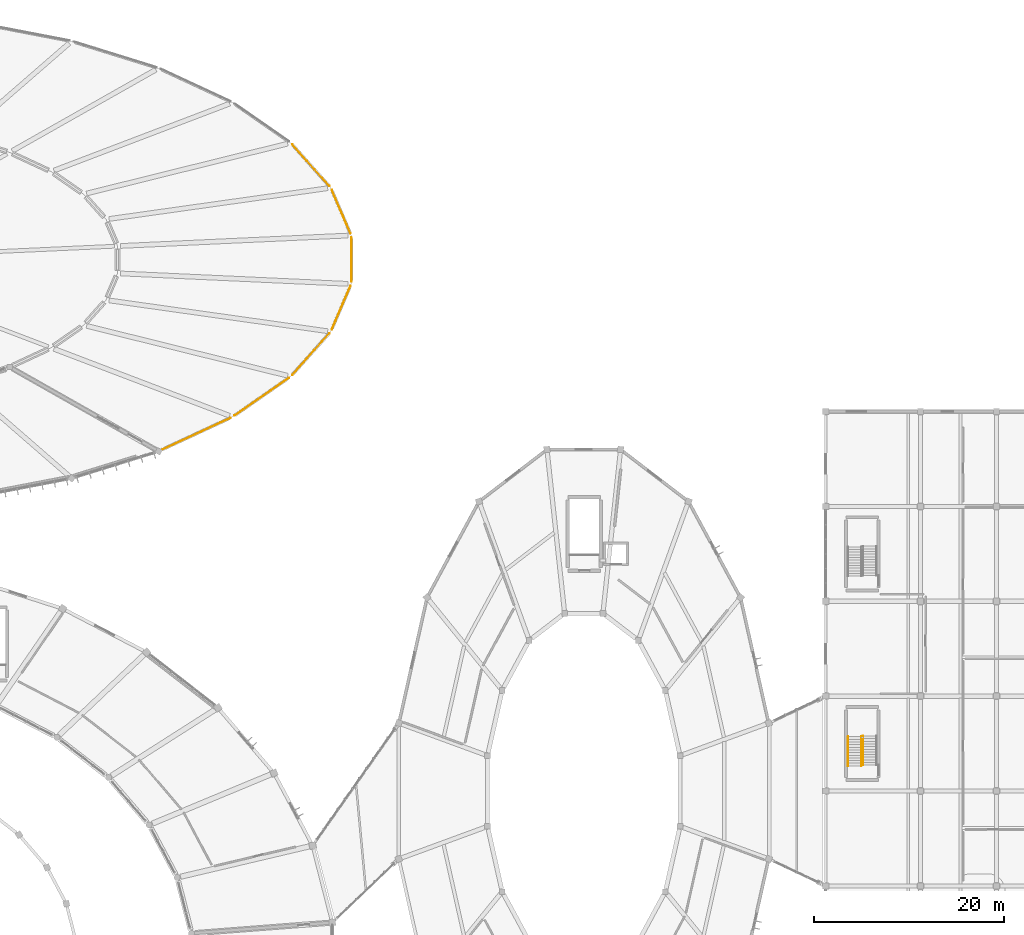
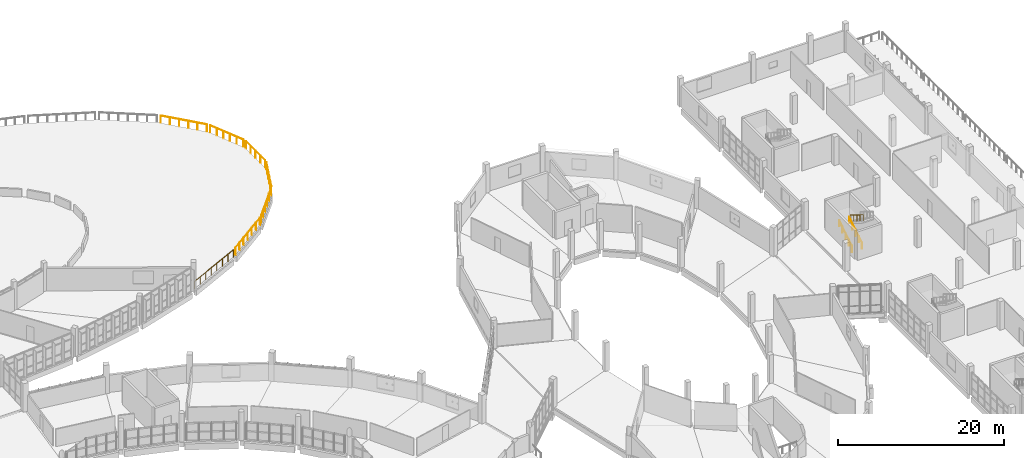
# One storey, part 139 of 142: 10 railings.
"""IFC4 building model written with IfcOpenShell, lengths in metres."""

from ifc_helpers import new_model, si_unit, direction, frame, origin, origin_2d, place, context, subcontext, project, spatial, circle, extrude, material, layer, layer_set, type_object, element, save


model = new_model("IFC4")

# Units and contexts
model_context = context("Model", 3, precision=1e-05, world=origin(), true_north=direction((0.0, 1.0)))
body_context = subcontext(model_context, "Body", "Model", "MODEL_VIEW")
ifc_project = project(units=[si_unit("LENGTHUNIT", "METRE"), si_unit("AREAUNIT", "SQUARE_METRE"), si_unit("VOLUMEUNIT", "CUBIC_METRE"), si_unit("PLANEANGLEUNIT", "RADIAN"), si_unit("MASSUNIT", "GRAM", prefix="KILO")], contexts=[model_context])

# Site, building, storey
site_placement = place(None, origin())
site = spatial("IfcSite", under=ifc_project, at=site_placement, CompositionType="ELEMENT")
building_placement = place(site_placement, origin())
building = spatial("IfcBuilding", under=site, at=building_placement, Name="Corvandel Quay Wholesale Market", CompositionType="ELEMENT")
storey_placement = place(building_placement, frame((0.0, 0.0, 10.800048828125)))
storey = spatial("IfcBuildingStorey", under=building, at=storey_placement, Name="L02", CompositionType="ELEMENT", Elevation=10.800048828125)

# Railings
ifc_material_1 = material(Name="Hot-dip galvanised painted steel", Category="steel")
ifc_layer_1 = layer(ifc_material_1, 0.06005859375)
ifc_layer_set_1 = layer_set([ifc_layer_1], Name="Hot-dip galvanised painted steel")
railing_type_1 = type_object("IfcRailingType", Name="Galvanised Steel Guard Balustrade GR01 1100mm", PredefinedType="BALUSTRADE", material=ifc_layer_set_1)
railing_1_placement = place(storey_placement, frame((169.905029296875, 118.781982421875, 0.0)))
element("IfcRailing", 1, at=railing_1_placement, inside=storey, type_object=railing_type_1, Name="Oval Roof Garden Guard GR-0009", PredefinedType="BALUSTRADE", context=body_context, shape_type="SweptSolid", body=[
    extrude(circle(Radius=0.02392578125, at=origin_2d()), frame((0.0, 0.0, 1.076171875), z_axis=(-0.39388973836, 0.919157698121, 0.0), x_axis=(-0.919157698121, -0.39388973836, 0.0)), (0.0, 0.0, 1.0), 4.98388671875),
    extrude(circle(Radius=0.02099609375, at=origin_2d()), origin(), (0.0, 0.0, 1.0), 1.052001953125),
    extrude(circle(Radius=0.02099609375, at=origin_2d()), frame((-0.392578125, 0.916259765625, 0.0)), (0.0, 0.0, 1.0), 1.052001953125),
    extrude(circle(Radius=0.02099609375, at=origin_2d()), frame((-0.78515625, 1.83251953125, 0.0)), (0.0, 0.0, 1.0), 1.052001953125),
    extrude(circle(Radius=0.02099609375, at=origin_2d()), frame((-1.177978515625, 2.74853515625, 0.0)), (0.0, 0.0, 1.0), 1.052001953125),
    extrude(circle(Radius=0.02099609375, at=origin_2d()), frame((-1.570556640625, 3.664794921875, 0.0)), (0.0, 0.0, 1.0), 1.052001953125),
    extrude(circle(Radius=0.02099609375, at=origin_2d()), frame((-1.963134765625, 4.5810546875, 0.0)), (0.0, 0.0, 1.0), 1.052001953125),
])
railing_2_placement = place(storey_placement, frame((167.68798828125, 123.762939453125, 0.0)))
element("IfcRailing", 2, at=railing_2_placement, inside=storey, type_object=railing_type_1, Name="Oval Roof Garden Guard GR-0010", PredefinedType="BALUSTRADE", context=body_context, shape_type="SweptSolid", body=[
    extrude(circle(Radius=0.02392578125, at=origin_2d()), frame((0.0, 0.0, 1.076171875), z_axis=(-0.665588510379, 0.746318923016, 0.0), x_axis=(-0.746318923016, -0.665588510379, 0.0)), (0.0, 0.0, 1.0), 5.86083984375),
    extrude(circle(Radius=0.02099609375, at=origin_2d()), origin(), (0.0, 0.0, 1.0), 1.052001953125),
    extrude(circle(Radius=0.02099609375, at=origin_2d()), frame((-0.7802734375, 0.874755859375, 0.0)), (0.0, 0.0, 1.0), 1.052001953125),
    extrude(circle(Radius=0.02099609375, at=origin_2d()), frame((-1.560302734375, 1.74951171875, 0.0)), (0.0, 0.0, 1.0), 1.052001953125),
    extrude(circle(Radius=0.02099609375, at=origin_2d()), frame((-2.340576171875, 2.62451171875, 0.0)), (0.0, 0.0, 1.0), 1.052001953125),
    extrude(circle(Radius=0.02099609375, at=origin_2d()), frame((-3.12060546875, 3.499267578125, 0.0)), (0.0, 0.0, 1.0), 1.052001953125),
    extrude(circle(Radius=0.02099609375, at=origin_2d()), frame((-3.90087890625, 4.3740234375, 0.0)), (0.0, 0.0, 1.0), 1.052001953125),
])
railing_3_placement = place(storey_placement, frame((149.916015625, 95.905029296875, 0.0)))
element("IfcRailing", 3, at=railing_3_placement, inside=storey, type_object=railing_type_1, Name="Oval Roof Garden Guard GR-0015", PredefinedType="BALUSTRADE", context=body_context, shape_type="SweptSolid", body=[
    extrude(circle(Radius=0.02392578125, at=origin_2d()), frame((0.0, 0.0, 1.076171875), z_axis=(0.906965894859, 0.421204066412, 0.0), x_axis=(-0.421204066412, 0.906965894859, 0.0)), (0.0, 0.0, 1.0), 8.119384765625),
    extrude(circle(Radius=0.02099609375, at=origin_2d()), origin(), (0.0, 0.0, 1.0), 1.052001953125),
    extrude(circle(Radius=0.02099609375, at=origin_2d()), frame((1.052001953125, 0.488525390625, 0.0)), (0.0, 0.0, 1.0), 1.052001953125),
    extrude(circle(Radius=0.02099609375, at=origin_2d()), frame((2.10400390625, 0.97705078125, 0.0)), (0.0, 0.0, 1.0), 1.052001953125),
    extrude(circle(Radius=0.02099609375, at=origin_2d()), frame((3.156005859375, 1.465576171875, 0.0)), (0.0, 0.0, 1.0), 1.052001953125),
    extrude(circle(Radius=0.02099609375, at=origin_2d()), frame((4.2080078125, 1.954345703125, 0.0)), (0.0, 0.0, 1.0), 1.052001953125),
    extrude(circle(Radius=0.02099609375, at=origin_2d()), frame((5.260009765625, 2.44287109375, 0.0)), (0.0, 0.0, 1.0), 1.052001953125),
    extrude(circle(Radius=0.02099609375, at=origin_2d()), frame((6.31201171875, 2.931396484375, 0.0)), (0.0, 0.0, 1.0), 1.052001953125),
    extrude(circle(Radius=0.02099609375, at=origin_2d()), frame((7.364013671875, 3.419921875, 0.0)), (0.0, 0.0, 1.0), 1.052001953125),
])
railing_4_placement = place(storey_placement, frame((157.695068359375, 99.56298828125, 0.0)))
element("IfcRailing", 4, at=railing_4_placement, inside=storey, type_object=railing_type_1, Name="Oval Roof Garden Guard GR-0016", PredefinedType="BALUSTRADE", context=body_context, shape_type="SweptSolid", body=[
    extrude(circle(Radius=0.02392578125, at=origin_2d()), frame((0.0, 0.0, 1.076171875), z_axis=(0.821263481182, 0.57054911662, 0.0), x_axis=(-0.57054911662, 0.821263481182, 0.0)), (0.0, 0.0, 1.0), 6.98291015625),
    extrude(circle(Radius=0.02099609375, at=origin_2d()), origin(), (0.0, 0.0, 1.0), 1.052001953125),
    extrude(circle(Radius=0.02099609375, at=origin_2d()), frame((0.955810546875, 0.6640625, 0.0)), (0.0, 0.0, 1.0), 1.052001953125),
    extrude(circle(Radius=0.02099609375, at=origin_2d()), frame((1.91162109375, 1.328125, 0.0)), (0.0, 0.0, 1.0), 1.052001953125),
    extrude(circle(Radius=0.02099609375, at=origin_2d()), frame((2.867431640625, 1.9921875, 0.0)), (0.0, 0.0, 1.0), 1.052001953125),
    extrude(circle(Radius=0.02099609375, at=origin_2d()), frame((3.8232421875, 2.656005859375, 0.0)), (0.0, 0.0, 1.0), 1.052001953125),
    extrude(circle(Radius=0.02099609375, at=origin_2d()), frame((4.779052734375, 3.320068359375, 0.0)), (0.0, 0.0, 1.0), 1.052001953125),
    extrude(circle(Radius=0.02099609375, at=origin_2d()), frame((5.73486328125, 3.984130859375, 0.0)), (0.0, 0.0, 1.0), 1.052001953125),
])
railing_5_placement = place(storey_placement, frame((163.787109375, 103.863037109375, 0.0)))
element("IfcRailing", 5, at=railing_5_placement, inside=storey, type_object=railing_type_1, Name="Oval Roof Garden Guard GR-0017", PredefinedType="BALUSTRADE", context=body_context, shape_type="SweptSolid", body=[
    extrude(circle(Radius=0.02392578125, at=origin_2d()), frame((0.0, 0.0, 1.076171875), z_axis=(0.665588510379, 0.746318923016, 0.0), x_axis=(-0.746318923016, 0.665588510379, 0.0)), (0.0, 0.0, 1.0), 5.86083984375),
    extrude(circle(Radius=0.02099609375, at=origin_2d()), origin(), (0.0, 0.0, 1.0), 1.052001953125),
    extrude(circle(Radius=0.02099609375, at=origin_2d()), frame((0.7802734375, 0.874755859375, 0.0)), (0.0, 0.0, 1.0), 1.052001953125),
    extrude(circle(Radius=0.02099609375, at=origin_2d()), frame((1.560302734375, 1.74951171875, 0.0)), (0.0, 0.0, 1.0), 1.052001953125),
    extrude(circle(Radius=0.02099609375, at=origin_2d()), frame((2.340576171875, 2.62451171875, 0.0)), (0.0, 0.0, 1.0), 1.052001953125),
    extrude(circle(Radius=0.02099609375, at=origin_2d()), frame((3.12060546875, 3.499267578125, 0.0)), (0.0, 0.0, 1.0), 1.052001953125),
    extrude(circle(Radius=0.02099609375, at=origin_2d()), frame((3.90087890625, 4.3740234375, 0.0)), (0.0, 0.0, 1.0), 1.052001953125),
])
railing_6_placement = place(storey_placement, frame((167.94189453125, 108.636962890625, 0.0)))
element("IfcRailing", 6, at=railing_6_placement, inside=storey, type_object=railing_type_1, Name="Oval Roof Garden Guard GR-0018", PredefinedType="BALUSTRADE", context=body_context, shape_type="SweptSolid", body=[
    extrude(circle(Radius=0.02392578125, at=origin_2d()), frame((0.0, 0.0, 1.076171875), z_axis=(0.39388973836, 0.919157698121, 0.0), x_axis=(-0.919157698121, 0.39388973836, 0.0)), (0.0, 0.0, 1.0), 4.98388671875),
    extrude(circle(Radius=0.02099609375, at=origin_2d()), origin(), (0.0, 0.0, 1.0), 1.052001953125),
    extrude(circle(Radius=0.02099609375, at=origin_2d()), frame((0.392578125, 0.916259765625, 0.0)), (0.0, 0.0, 1.0), 1.052001953125),
    extrude(circle(Radius=0.02099609375, at=origin_2d()), frame((0.78515625, 1.83251953125, 0.0)), (0.0, 0.0, 1.0), 1.052001953125),
    extrude(circle(Radius=0.02099609375, at=origin_2d()), frame((1.177978515625, 2.74853515625, 0.0)), (0.0, 0.0, 1.0), 1.052001953125),
    extrude(circle(Radius=0.02099609375, at=origin_2d()), frame((1.570556640625, 3.664794921875, 0.0)), (0.0, 0.0, 1.0), 1.052001953125),
    extrude(circle(Radius=0.02099609375, at=origin_2d()), frame((1.963134765625, 4.5810546875, 0.0)), (0.0, 0.0, 1.0), 1.052001953125),
])
railing_7_placement = place(storey_placement, frame((170.0, 113.678955078125, 0.0)))
element("IfcRailing", 7, at=railing_7_placement, inside=storey, type_object=railing_type_1, Name="Oval Roof Garden Guard GR-0019", PredefinedType="BALUSTRADE", context=body_context, shape_type="SweptSolid", body=[
    extrude(circle(Radius=0.02392578125, at=origin_2d()), frame((0.0, 0.0, 1.076171875), z_axis=(0.0, 1.0, 0.0), x_axis=(-1.0, 0.0, 0.0)), (0.0, 0.0, 1.0), 4.64208984375),
    extrude(circle(Radius=0.02099609375, at=origin_2d()), origin(), (0.0, 0.0, 1.0), 1.052001953125),
    extrude(circle(Radius=0.02099609375, at=origin_2d()), frame((0.0, 1.16064453125, 0.0)), (0.0, 0.0, 1.0), 1.052001953125),
    extrude(circle(Radius=0.02099609375, at=origin_2d()), frame((0.0, 2.321044921875, 0.0)), (0.0, 0.0, 1.0), 1.052001953125),
    extrude(circle(Radius=0.02099609375, at=origin_2d()), frame((0.0, 3.4814453125, 0.0)), (0.0, 0.0, 1.0), 1.052001953125),
    extrude(circle(Radius=0.02099609375, at=origin_2d()), frame((0.0, 4.64208984375, 0.0)), (0.0, 0.0, 1.0), 1.052001953125),
])
ifc_material_2 = material(Name="Brushed austenitic stainless steel Grade 316", Category="steel")
ifc_layer_2 = layer(ifc_material_2, 0.048095703125)
ifc_layer_set_2 = layer_set([ifc_layer_2], Name="Brushed austenitic stainless steel Grade 316")
railing_type_2 = type_object("IfcRailingType", Name="Tubular Stainless Stair Handrail HR01 915mm", PredefinedType="HANDRAIL", material=ifc_layer_set_2)
for number, where, name in (
    (8, (222.360107421875, 62.64990234375, 0.175048828125), "Stair Handrail 0184"),
    (9, (223.75, 62.64990234375, 0.175048828125), "Stair Handrail 0185"),
):
    element("IfcRailing", number, at=place(storey_placement, frame(where)), inside=storey, type_object=railing_type_2, Name=name, PredefinedType="HANDRAIL", context=body_context, shape_type="SweptSolid", body=[
        extrude(circle(Radius=0.02392578125, at=origin_2d()), frame((0.0, 0.0, 0.89111328125), z_axis=(0.0, 0.848028513186, 0.529950602248), x_axis=(-1.0, 0.0, 0.0)), (0.0, 0.0, 1.0), 3.632080078125),
        extrude(circle(Radius=0.02099609375, at=origin_2d()), origin(), (0.0, 0.0, 1.0), 0.866943359375),
        extrude(circle(Radius=0.02099609375, at=origin_2d()), frame((0.0, 0.77001953125, 0.481201171875)), (0.0, 0.0, 1.0), 0.866943359375),
        extrude(circle(Radius=0.02099609375, at=origin_2d()), frame((0.0, 1.5400390625, 0.96240234375)), (0.0, 0.0, 1.0), 0.866943359375),
        extrude(circle(Radius=0.02099609375, at=origin_2d()), frame((0.0, 2.31005859375, 1.443603515625)), (0.0, 0.0, 1.0), 0.866943359375),
        extrude(circle(Radius=0.02099609375, at=origin_2d()), frame((0.0, 3.080078125, 1.9248046875)), (0.0, 0.0, 1.0), 0.866943359375),
    ])
railing_8_placement = place(storey_placement, frame((223.949951171875, 65.800048828125, 2.27490234375)))
element("IfcRailing", 10, at=railing_8_placement, inside=storey, type_object=railing_type_2, Name="Stair Handrail 0186", PredefinedType="HANDRAIL", context=body_context, shape_type="SweptSolid", body=[
    extrude(circle(Radius=0.02392578125, at=origin_2d()), frame((0.0, 0.0, 0.89111328125), z_axis=(0.0, -0.847998304005, 0.529998940003), x_axis=(1.0, 0.0, 0.0)), (0.0, 0.0, 1.0), 3.632080078125),
    extrude(circle(Radius=0.02099609375, at=origin_2d()), origin(), (0.0, 0.0, 1.0), 0.866943359375),
    extrude(circle(Radius=0.02099609375, at=origin_2d()), frame((0.0, -0.77001953125, 0.481201171875)), (0.0, 0.0, 1.0), 0.866943359375),
    extrude(circle(Radius=0.02099609375, at=origin_2d()), frame((0.0, -1.5400390625, 0.96240234375)), (0.0, 0.0, 1.0), 0.866943359375),
    extrude(circle(Radius=0.02099609375, at=origin_2d()), frame((0.0, -2.31005859375, 1.44384765625)), (0.0, 0.0, 1.0), 0.866943359375),
    extrude(circle(Radius=0.02099609375, at=origin_2d()), frame((0.0, -3.080078125, 1.925048828125)), (0.0, 0.0, 1.0), 0.866943359375),
])

save(model, "model.ifc")
